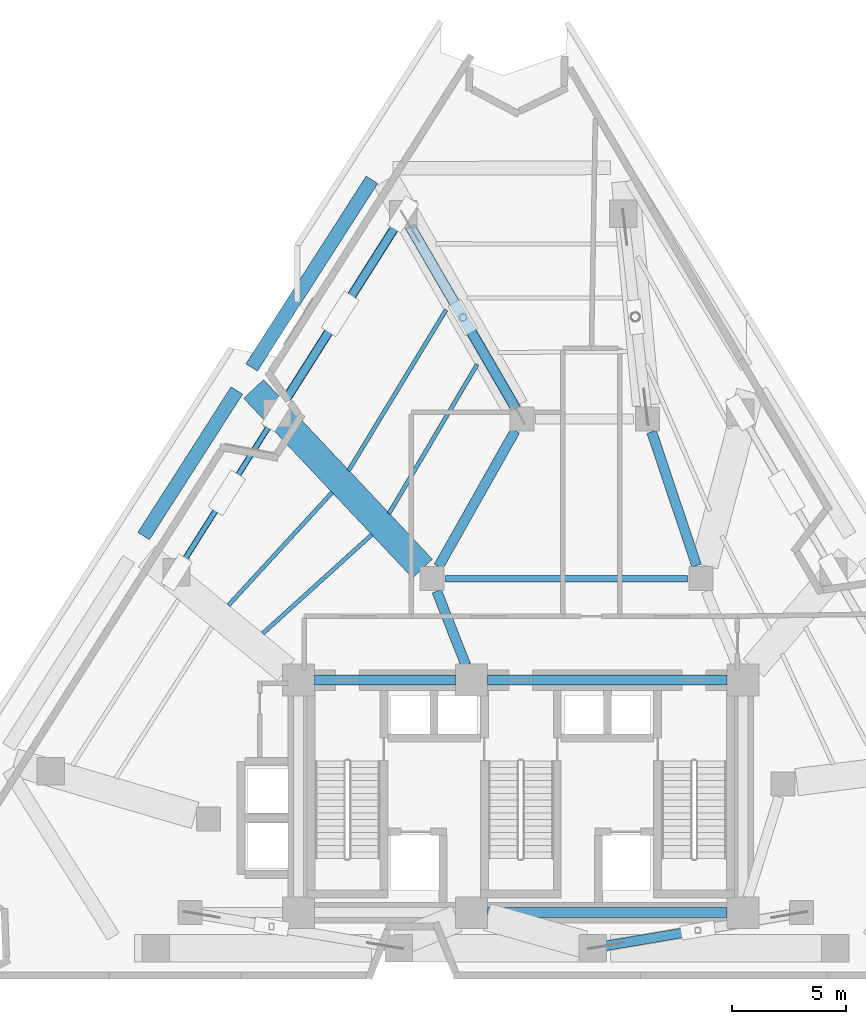
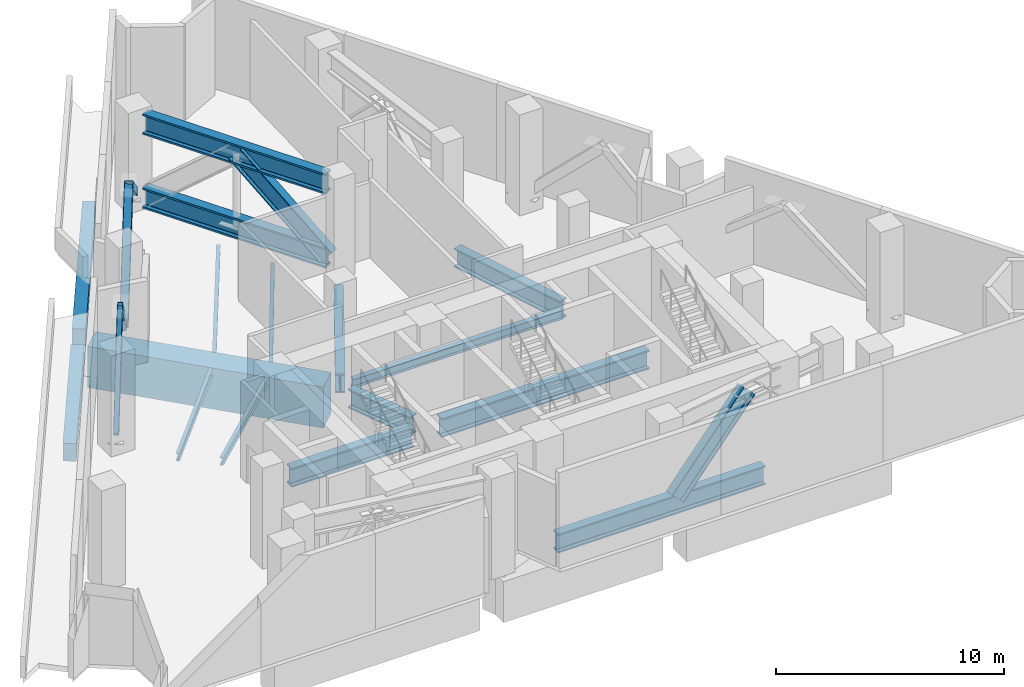
# One storey, part 3 of 9: 16 beams, 6 members.
"""IFC4 building model written with IfcOpenShell, lengths in metres."""

from ifc_helpers import new_model, si_unit, direction, frame, origin, origin_2d, place, context, subcontext, project, spatial, rectangle, hollow_rectangle, i_section, extrude, material, material_profile, profile_set, type_object, element, save


model = new_model("IFC4")

# Units and contexts
model_context = context("Model", 3, precision=1e-05, world=origin(), true_north=direction((0.0, 1.0)))
body_context = subcontext(model_context, "Body", "Model", "MODEL_VIEW")
ifc_project = project(units=[si_unit("LENGTHUNIT", "METRE"), si_unit("AREAUNIT", "SQUARE_METRE"), si_unit("VOLUMEUNIT", "CUBIC_METRE"), si_unit("PLANEANGLEUNIT", "RADIAN"), si_unit("MASSUNIT", "GRAM", prefix="KILO")], contexts=[model_context])

# Site, building, storey
site_placement = place(None, origin())
site = spatial("IfcSite", under=ifc_project, at=site_placement, CompositionType="ELEMENT")
building_placement = place(site_placement, origin())
building = spatial("IfcBuilding", under=site, at=building_placement, Name="Almagre Mirador Tower", CompositionType="ELEMENT")
storey_placement = place(building_placement, frame((0.0, 0.0, 105.0)))
storey = spatial("IfcBuildingStorey", under=building, at=storey_placement, Name="L26", CompositionType="ELEMENT", Elevation=105.0)

# Beams
ifc_material_1 = material(Name="Steel ASTM A992 Grade 50", Category="steel")
ifc_material_profile_1 = material_profile(ifc_material_1, i_section(OverallWidth=0.281982421875, OverallDepth=0.467041015625, WebThickness=0.01220703125, FlangeThickness=0.01953125, FilletRadius=0.01611328125, at=origin_2d()), Name="W18X86")
ifc_profile_set_1 = profile_set([ifc_material_profile_1], Name="Steel ASTM A992 Grade 50")
beam_type_1 = type_object("IfcBeamType", Name="BM-BAL-W18X86", PredefinedType="JOIST", material=ifc_profile_set_1)
beam_1_placement = place(storey_placement, frame((34.0, 19.199951171875, -0.533447265625), z_axis=(1.0, 0.0, 0.0), x_axis=(0.0, 1.0, 0.0)))
element("IfcBeam", 1, at=beam_1_placement, inside=storey, type_object=beam_type_1, Name="L26 secondary header beam BB-01", PredefinedType="JOIST", context=body_context, shape_type="SweptSolid", body=[
    extrude(i_section(OverallWidth=0.281982421875, OverallDepth=0.467041015625, WebThickness=0.01220703125, FlangeThickness=0.01953125, FilletRadius=0.01611328125, at=origin_2d()), origin(), (0.0, 0.0, 1.0), 10.60009765625),
])
ifc_material_2 = material(Name="Steel ASTM A992 Grade 50", Category="steel")
ifc_material_profile_2 = material_profile(ifc_material_2, i_section(OverallWidth=0.178955078125, OverallDepth=0.408935546875, WebThickness=0.0087890625, FlangeThickness=0.014404296875, FilletRadius=0.013916015625, at=origin_2d()), Name="W16X45")
ifc_profile_set_2 = profile_set([ifc_material_profile_2], Name="Steel ASTM A992 Grade 50")
beam_type_2 = type_object("IfcBeamType", Name="BM-JST-W16X45", PredefinedType="JOIST", material=ifc_profile_set_2)
beam_2_placement = place(storey_placement, frame((34.02587890625, 30.982666015625, -0.50439453125), z_axis=(-0.518585720508, -0.855025643174, 0.0), x_axis=(0.855025643174, -0.518585720508, 0.0)))
element("IfcBeam", 2, at=beam_2_placement, inside=storey, type_object=beam_type_2, Name="L26 secondary floor joist PC09-PC10.2", PredefinedType="JOIST", context=body_context, shape_type="SweptSolid", body=[
    extrude(i_section(OverallWidth=0.178955078125, OverallDepth=0.408935546875, WebThickness=0.0087890625, FlangeThickness=0.014404296875, FilletRadius=0.013916015625, at=origin_2d()), origin(), (0.0, 0.0, 1.0), 8.24853515625),
])
beam_3_placement = place(storey_placement, frame((35.389892578125, 28.592041015625, -0.50439453125), z_axis=(-0.508934733751, -0.86080510964, 0.0), x_axis=(0.86080510964, -0.508934733751, 0.0)))
element("IfcBeam", 3, at=beam_3_placement, inside=storey, type_object=beam_type_2, Name="L26 secondary floor joist PC09-PC10.3", PredefinedType="JOIST", context=body_context, shape_type="SweptSolid", body=[
    extrude(i_section(OverallWidth=0.178955078125, OverallDepth=0.408935546875, WebThickness=0.0087890625, FlangeThickness=0.014404296875, FilletRadius=0.013916015625, at=origin_2d()), origin(), (0.0, 0.0, 1.0), 7.607177734375),
])
beam_4_placement = place(storey_placement, frame((29.031005859375, 22.97509765625, -0.50439453125), z_axis=(-0.676550209478, -0.736396506004, 0.0), x_axis=(0.736396506004, -0.676550209478, 0.0)))
element("IfcBeam", 4, at=beam_4_placement, inside=storey, type_object=beam_type_2, Name="L26 secondary floor joist PC10-PC11.2", PredefinedType="JOIST", context=body_context, shape_type="SweptSolid", body=[
    extrude(i_section(OverallWidth=0.178955078125, OverallDepth=0.408935546875, WebThickness=0.0087890625, FlangeThickness=0.014404296875, FilletRadius=0.013916015625, at=origin_2d()), origin(), (0.0, 0.0, 1.0), 6.71875),
])
beam_5_placement = place(storey_placement, frame((30.7685546875, 21.124267578125, -0.50439453125), z_axis=(-0.740975182307, -0.671532411136, 0.0), x_axis=(0.671532411136, -0.740975182307, 0.0)))
element("IfcBeam", 5, at=beam_5_placement, inside=storey, type_object=beam_type_2, Name="L26 secondary floor joist PC10-PC11.3", PredefinedType="JOIST", context=body_context, shape_type="SweptSolid", body=[
    extrude(i_section(OverallWidth=0.178955078125, OverallDepth=0.408935546875, WebThickness=0.0087890625, FlangeThickness=0.014404296875, FilletRadius=0.013916015625, at=origin_2d()), origin(), (0.0, 0.0, 1.0), 6.451416015625),
])
ifc_material_3 = material(Name="Precast concrete C50/60", Category="concrete")
ifc_material_profile_3 = material_profile(ifc_material_3, rectangle(XDim=0.60009765625, YDim=0.949951171875, at=origin_2d()), Name="RC600X950")
ifc_profile_set_3 = profile_set([ifc_material_profile_3], Name="Precast concrete C50/60")
beam_type_3 = type_object("IfcBeamType", Name="BM-SPN-RC600X950", PredefinedType="SPANDREL", material=ifc_profile_set_3)
beam_6_placement = place(storey_placement, frame((30.7744140625, 36.683837890625, -0.77490234375), z_axis=(-0.539465454843, -0.842007733356, 0.0), x_axis=(0.842007733356, -0.539465454843, 0.0)))
element("IfcBeam", 6, at=beam_6_placement, inside=storey, type_object=beam_type_3, Name="L26 perimeter spandrel beam PC09-PC10", PredefinedType="SPANDREL", context=body_context, shape_type="SweptSolid", body=[
    extrude(rectangle(XDim=0.60009765625, YDim=0.949951171875, at=origin_2d()), origin(), (0.0, 0.0, 1.0), 9.77392578125),
])
beam_7_placement = place(storey_placement, frame((24.854248046875, 27.44384765625, -0.77490234375), z_axis=(-0.539465888447, -0.84200745555, 0.0), x_axis=(0.84200745555, -0.539465888447, 0.0)))
element("IfcBeam", 7, at=beam_7_placement, inside=storey, type_object=beam_type_3, Name="L26 perimeter spandrel beam PC10-PC11", PredefinedType="SPANDREL", context=body_context, shape_type="SweptSolid", body=[
    extrude(rectangle(XDim=0.60009765625, YDim=0.949951171875, at=origin_2d()), origin(), (0.0, 0.0, 1.0), 7.5791015625),
])
ifc_material_4 = material(Name="Steel ASTM A992 Grade 50", Category="steel")
ifc_material_profile_4 = material_profile(ifc_material_4, i_section(OverallWidth=0.43701171875, OverallDepth=1.010986328125, WebThickness=0.041015625, FlangeThickness=0.073974609375, FilletRadius=0.028076171875, at=origin_2d()), Name="W36X529")
ifc_profile_set_4 = profile_set([ifc_material_profile_4], Name="Steel ASTM A992 Grade 50")
beam_type_4 = type_object("IfcBeamType", Name="BM-STL-W36X529", PredefinedType="BEAM", material=ifc_profile_set_4)
beam_8_placement = place(storey_placement, frame((35.85009765625, 4.550048828125, -0.805419921875), z_axis=(1.0, 0.0, 0.0), x_axis=(0.0, 1.0, 0.0)))
element("IfcBeam", 8, at=beam_8_placement, inside=storey, type_object=beam_type_4, Name="L26 core tie girder CC2-CC3", PredefinedType="BEAM", context=body_context, shape_type="SweptSolid", body=[
    extrude(i_section(OverallWidth=0.43701171875, OverallDepth=1.010986328125, WebThickness=0.041015625, FlangeThickness=0.073974609375, FilletRadius=0.028076171875, at=origin_2d()), origin(), (0.0, 0.0, 1.0), 10.5),
])
beam_9_placement = place(storey_placement, frame((28.25, 14.75, -0.805419921875), z_axis=(1.0, 0.0, 0.0), x_axis=(0.0, 1.0, 0.0)))
element("IfcBeam", 9, at=beam_9_placement, inside=storey, type_object=beam_type_4, Name="L26 core tie girder CC4-CC5", PredefinedType="BEAM", context=body_context, shape_type="SweptSolid", body=[
    extrude(i_section(OverallWidth=0.43701171875, OverallDepth=1.010986328125, WebThickness=0.041015625, FlangeThickness=0.073974609375, FilletRadius=0.028076171875, at=origin_2d()), origin(), (0.0, 0.0, 1.0), 6.199951171875),
])
beam_10_placement = place(storey_placement, frame((35.85009765625, 14.75, -0.805419921875), z_axis=(1.0, 0.0, 0.0), x_axis=(0.0, 1.0, 0.0)))
element("IfcBeam", 10, at=beam_10_placement, inside=storey, type_object=beam_type_4, Name="L26 core tie girder CC5-CC6", PredefinedType="BEAM", context=body_context, shape_type="SweptSolid", body=[
    extrude(i_section(OverallWidth=0.43701171875, OverallDepth=1.010986328125, WebThickness=0.041015625, FlangeThickness=0.073974609375, FilletRadius=0.028076171875, at=origin_2d()), origin(), (0.0, 0.0, 1.0), 10.5),
])
beam_11_placement = place(storey_placement, frame((43.041015625, 25.631103515625, -0.805419921875), z_axis=(0.318252395552, -0.948006019351, 0.0), x_axis=(0.948006019351, 0.318252395552, 0.0)))
element("IfcBeam", 11, at=beam_11_placement, inside=storey, type_object=beam_type_4, Name="L26 core tie girder MC6-MC5", PredefinedType="BEAM", context=body_context, shape_type="SweptSolid", body=[
    extrude(i_section(OverallWidth=0.43701171875, OverallDepth=1.010986328125, WebThickness=0.041015625, FlangeThickness=0.073974609375, FilletRadius=0.028076171875, at=origin_2d()), origin(), (0.0, 0.0, 1.0), 6.183837890625),
])
beam_12_placement = place(storey_placement, frame((37.05517578125, 25.677490234375, -0.805419921875), z_axis=(-0.491440637516, -0.870911074564, 0.0), x_axis=(0.870911074564, -0.491440637516, 0.0)))
element("IfcBeam", 12, at=beam_12_placement, inside=storey, type_object=beam_type_4, Name="L26 core tie girder MC7-MC8", PredefinedType="BEAM", context=body_context, shape_type="SweptSolid", body=[
    extrude(i_section(OverallWidth=0.43701171875, OverallDepth=1.010986328125, WebThickness=0.041015625, FlangeThickness=0.073974609375, FilletRadius=0.028076171875, at=origin_2d()), origin(), (0.0, 0.0, 1.0), 6.837646484375),
])
beam_13_placement = place(storey_placement, frame((33.61962890625, 18.6416015625, -0.805419921875), z_axis=(0.365956076985, -0.93063212373, 0.0), x_axis=(0.93063212373, 0.365956076985, 0.0)))
element("IfcBeam", 13, at=beam_13_placement, inside=storey, type_object=beam_type_4, Name="L26 core tie girder MC8-CC5", PredefinedType="BEAM", context=body_context, shape_type="SweptSolid", body=[
    extrude(i_section(OverallWidth=0.43701171875, OverallDepth=1.010986328125, WebThickness=0.041015625, FlangeThickness=0.073974609375, FilletRadius=0.028076171875, at=origin_2d()), origin(), (0.0, 0.0, 1.0), 3.481689453125),
])
ifc_material_5 = material(Name="Steel ASTM A913 Grade 65", Category="steel")
ifc_material_profile_5 = material_profile(ifc_material_5, i_section(OverallWidth=0.45703125, OverallDepth=1.0869140625, WebThickness=0.060546875, FlangeThickness=0.093994140625, FilletRadius=0.028076171875, at=origin_2d()), Name="W36X800")
ifc_profile_set_5 = profile_set([ifc_material_profile_5], Name="Steel ASTM A913 Grade 65")
beam_type_5 = type_object("IfcBeamType", Name="BM-STL-W36X800", PredefinedType="BEAM", material=ifc_profile_set_5)
for number, where, z_axis, x_axis, name in (
    (14, (32.443359375, 34.647216796875, 0.64990234375), (0.502267404593, -0.864712353493, 0.0), (0.864712353493, 0.502267404593, 0.0), "L26 outrigger truss 4 bottom chord"),
    (15, (32.443359375, 34.647216796875, 4.6064453125), (0.502267404593, -0.864712353493, 0.0), (0.864712353493, 0.502267404593, 0.0), "L26 outrigger truss 4 top chord"),
):
    element("IfcBeam", number, at=place(storey_placement, frame(where, z_axis=z_axis, x_axis=x_axis)), inside=storey, type_object=beam_type_5, Name=name, PredefinedType="BEAM", context=body_context, shape_type="SweptSolid", body=[
        extrude(i_section(OverallWidth=0.45703125, OverallDepth=1.0869140625, WebThickness=0.060546875, FlangeThickness=0.093994140625, FilletRadius=0.028076171875, at=origin_2d()), origin(), (0.0, 0.0, 1.0), 9.24365234375),
    ])
ifc_material_6 = material(Name="Concrete C60/75", Category="concrete")
ifc_material_profile_6 = material_profile(ifc_material_6, rectangle(XDim=1.199951171875, YDim=2.199951171875, at=origin_2d()), Name="RC1200X2200")
ifc_profile_set_6 = profile_set([ifc_material_profile_6], Name="Concrete C60/75")
beam_type_6 = type_object("IfcBeamType", Name="BM-XFER-RC1200X2200", PredefinedType="BEAM", material=ifc_profile_set_6)
beam_14_placement = place(storey_placement, frame((25.5888671875, 27.51171875, -1.39990234375), z_axis=(0.684816925133, -0.728715156321, 0.0), x_axis=(0.728715156321, 0.684816925133, 0.0)))
element("IfcBeam", 16, at=beam_14_placement, inside=storey, type_object=beam_type_6, Name="L26 radial transfer girder PC10-MC8", PredefinedType="BEAM", context=body_context, shape_type="SweptSolid", body=[
    extrude(rectangle(XDim=1.199951171875, YDim=2.199951171875, at=origin_2d()), origin(), (0.0, 0.0, 1.0), 10.805908203125),
])

# Members
ifc_material_7 = material(Name="Steel ASTM A500 Grade C", Category="steel")
ifc_material_profile_7 = material_profile(ifc_material_7, hollow_rectangle(XDim=0.39990234375, YDim=0.39990234375, WallThickness=0.01611328125, InnerFilletRadius=0.01611328125, OuterFilletRadius=0.031982421875, at=origin_2d()), Name="HSS400X400X16")
ifc_profile_set_7 = profile_set([ifc_material_profile_7], Name="Steel ASTM A500 Grade C")
member_type_1 = type_object("IfcMemberType", Name="MBR-BRC-HSS400", PredefinedType="BRACE", material=ifc_profile_set_7)
for number, where, z_axis, x_axis, name in (
    (17, (32.14208984375, 35.166015625, 0.64990234375), (-0.424454053976, -0.670528522773, 0.608465493032), (0.844940953669, -0.534859593551, 0.0), "L26 perimeter belt truss brace PC09-apex"),
    (18, (26.6220703125, 26.446044921875, 0.64990234375), (0.424464739905, 0.670507857163, 0.608480811579), (-0.844927418152, 0.534880975597, 0.0), "L26 perimeter belt truss brace PC10-apex"),
):
    element("IfcMember", number, at=place(storey_placement, frame(where, z_axis=z_axis, x_axis=x_axis)), inside=storey, type_object=member_type_1, Name=name, PredefinedType="BRACE", context=body_context, shape_type="SweptSolid", body=[
        extrude(hollow_rectangle(XDim=0.39990234375, YDim=0.39990234375, WallThickness=0.01611328125, InnerFilletRadius=0.01611328125, OuterFilletRadius=0.031982421875, at=origin_2d()), origin(), (0.0, 0.0, 1.0), 6.50244140625),
    ])
ifc_material_8 = material(Name="Steel ASTM A500 Grade C", Category="steel")
ifc_material_profile_8 = material_profile(ifc_material_8, hollow_rectangle(XDim=0.25, YDim=0.39990234375, WallThickness=0.012451171875, InnerFilletRadius=0.012451171875, OuterFilletRadius=0.02490234375, at=origin_2d()), Name="HSS400X250X12.5")
ifc_profile_set_8 = profile_set([ifc_material_profile_8], Name="Steel ASTM A500 Grade C")
member_type_2 = type_object("IfcMemberType", Name="MBR-BRC-HSS400R", PredefinedType="BRACE", material=ifc_profile_set_8)
for number, where, z_axis, x_axis, name in (
    (19, (26.6220703125, 26.446044921875, 0.64990234375), (-0.386147950444, -0.610006166298, 0.691940920489), (0.844937569942, -0.534864938934, 0.0), "L26 perimeter belt truss brace PC10-apex"),
    (20, (22.2060546875, 19.469970703125, 0.64990234375), (0.386147950444, 0.610006166298, 0.691940920489), (-0.844937569942, 0.534864938934, 0.0), "L26 perimeter belt truss brace PC11-apex"),
):
    element("IfcMember", number, at=place(storey_placement, frame(where, z_axis=z_axis, x_axis=x_axis)), inside=storey, type_object=member_type_2, Name=name, PredefinedType="BRACE", context=body_context, shape_type="SweptSolid", body=[
        extrude(hollow_rectangle(XDim=0.25, YDim=0.39990234375, WallThickness=0.012451171875, InnerFilletRadius=0.012451171875, OuterFilletRadius=0.02490234375, at=origin_2d()), origin(), (0.0, 0.0, 1.0), 5.718017578125),
    ])
ifc_material_9 = material(Name="Steel ASTM A913 Grade 65", Category="steel")
ifc_material_profile_9 = material_profile(ifc_material_9, i_section(OverallWidth=0.423095703125, OverallDepth=0.947998046875, WebThickness=0.02392578125, FlangeThickness=0.042724609375, FilletRadius=0.028076171875, at=origin_2d()), Name="W36X302")
ifc_profile_set_9 = profile_set([ifc_material_profile_9], Name="Steel ASTM A913 Grade 65")
member_type_3 = type_object("IfcMemberType", Name="MBR-BRC-W36X302", PredefinedType="BRACE", material=ifc_profile_set_9)
member_1_placement = place(storey_placement, frame((41.047607421875, 3.100341796875, 0.64990234375), z_axis=(0.707338056322, 0.119888534736, 0.696634490474), x_axis=(-0.167109217295, 0.985938390314, 0.0)))
element("IfcMember", 21, at=member_1_placement, inside=storey, type_object=member_type_3, Name="L26 outrigger truss 2 diagonal 1", PredefinedType="BRACE", context=body_context, shape_type="SweptSolid", body=[
    extrude(i_section(OverallWidth=0.423095703125, OverallDepth=0.947998046875, WebThickness=0.02392578125, FlangeThickness=0.042724609375, FilletRadius=0.028076171875, at=origin_2d()), origin(), (0.0, 0.0, 1.0), 5.679443359375),
])
member_2_placement = place(storey_placement, frame((34.764892578125, 30.650634765625, 4.6064453125), z_axis=(0.381538780628, -0.6568983844, -0.650317362101), x_axis=(0.864723824376, 0.5022476556, 0.0)))
element("IfcMember", 22, at=member_2_placement, inside=storey, type_object=member_type_3, Name="L26 outrigger truss 4 diagonal 2", PredefinedType="BRACE", context=body_context, shape_type="SweptSolid", body=[
    extrude(i_section(OverallWidth=0.423095703125, OverallDepth=0.947998046875, WebThickness=0.02392578125, FlangeThickness=0.042724609375, FilletRadius=0.028076171875, at=origin_2d()), origin(), (0.0, 0.0, 1.0), 6.083984375),
])

save(model, "model.ifc")
